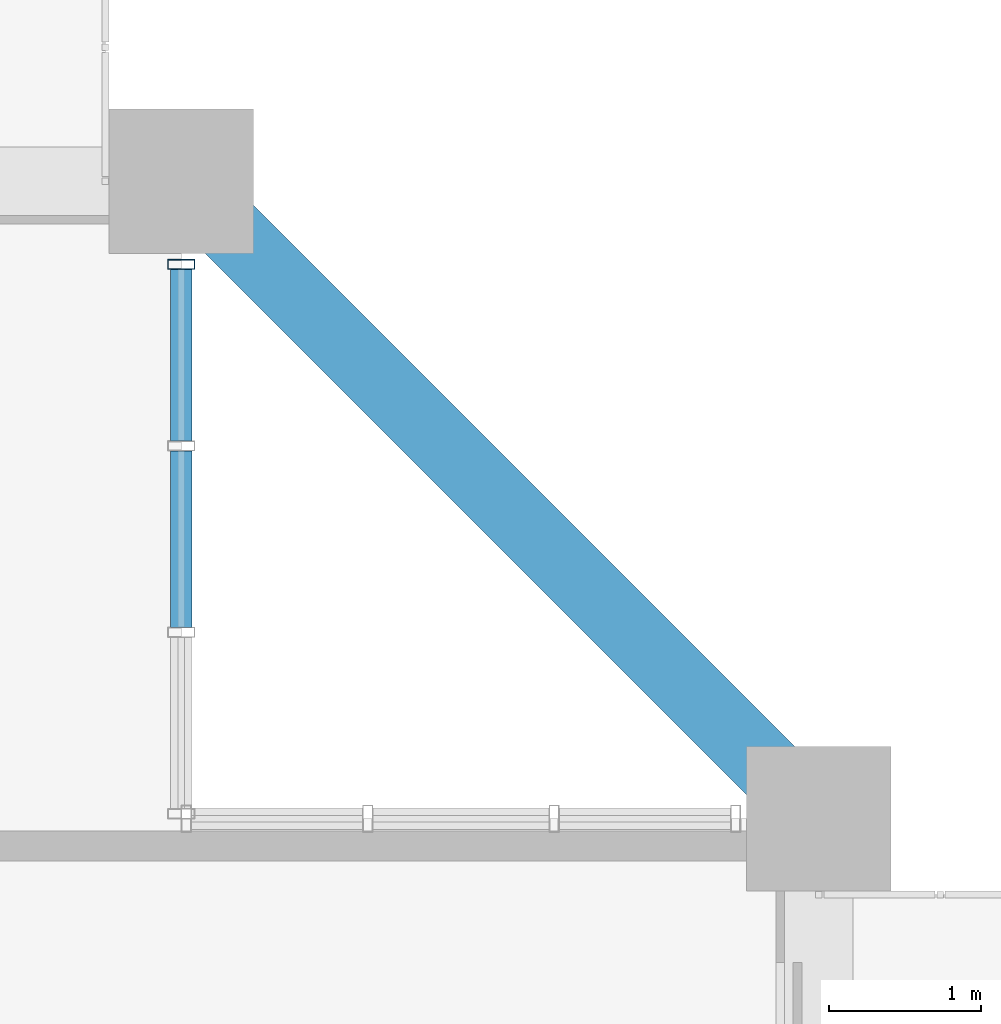
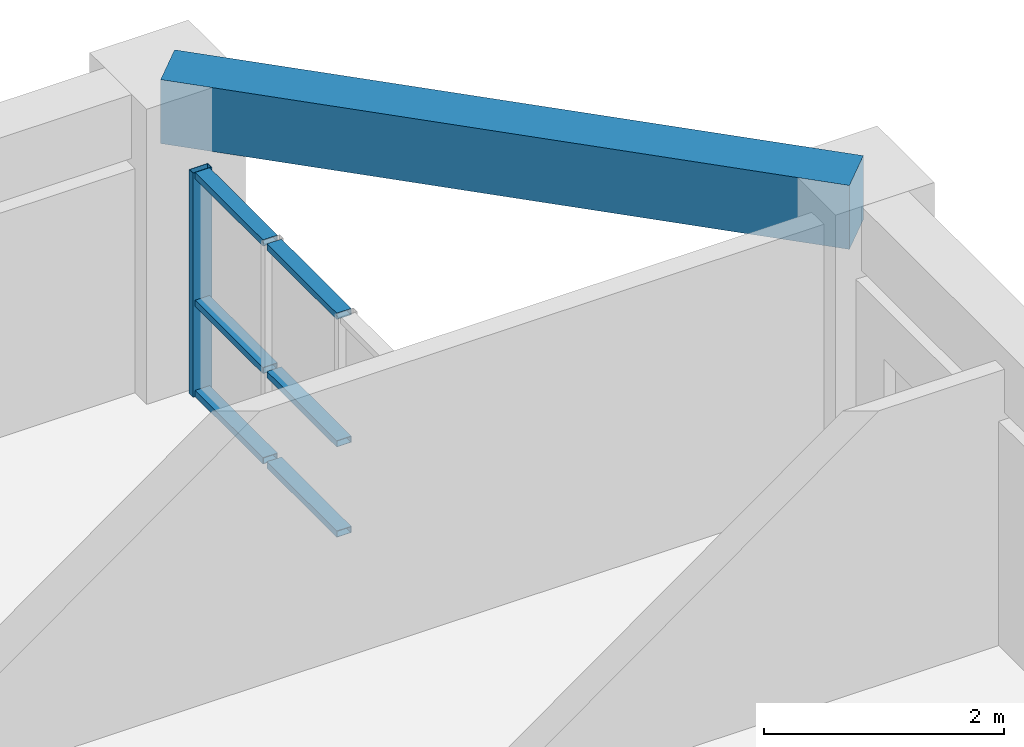
# One storey, part 12 of 24: 7 members, 1 beam, 1 element without a shape of its own.
"""IFC4 building model written with IfcOpenShell, lengths in metres."""

from ifc_helpers import new_model, si_unit, direction, frame, origin, origin_2d, place, context, subcontext, project, spatial, rectangle, hollow_rectangle, extrude, source, transform, mapped, material, layer, layer_set, material_profile, profile_set, type_object, element, aggregate, save


model = new_model("IFC4")

# Units and contexts
model_context = context("Model", 3, precision=1e-05, world=origin(), true_north=direction((0.0, 1.0)))
body_context = subcontext(model_context, "Body", "Model", "MODEL_VIEW")
ifc_project = project(units=[si_unit("LENGTHUNIT", "METRE"), si_unit("AREAUNIT", "SQUARE_METRE"), si_unit("VOLUMEUNIT", "CUBIC_METRE"), si_unit("PLANEANGLEUNIT", "RADIAN"), si_unit("MASSUNIT", "GRAM", prefix="KILO")], contexts=[model_context])

# Site, building, storey
site_placement = place(None, origin())
site = spatial("IfcSite", under=ifc_project, at=site_placement, CompositionType="ELEMENT")
building_placement = place(site_placement, origin())
building = spatial("IfcBuilding", under=site, at=building_placement, Name="Saelheon Loggia Tower", CompositionType="ELEMENT")
storey_placement = place(building_placement, frame((0.0, 0.0, 98.85009765625)))
storey = spatial("IfcBuildingStorey", under=building, at=storey_placement, Name="L31", CompositionType="ELEMENT", Elevation=98.85009765625)

# Beam
ifc_material_1 = material(Name="Concrete C40/50", Category="concrete")
ifc_material_profile_1 = material_profile(ifc_material_1, rectangle(XDim=0.449951171875, YDim=0.64990234375, at=origin_2d()), Name="RC-450x650")
ifc_profile_set_1 = profile_set([ifc_material_profile_1], Name="Concrete C40/50")
beam_type = type_object("IfcBeamType", Name="Beam_PerimTower_RC450x650", PredefinedType="BEAM", material=ifc_profile_set_1)
shared_shape_1 = source(origin(), body_context, "Body", "SweptSolid", [
    extrude(rectangle(XDim=0.449951171875, YDim=0.64990234375, at=origin_2d()), origin(), (0.0, 0.0, 1.0), 5.939697265625),
])
beam_placement = place(storey_placement, frame((64.0, 46.800048828125, 2.6748046875), z_axis=(-0.707106781187, 0.707106781187, 0.0), x_axis=(-0.707106781187, -0.707106781187, 0.0)))
element("IfcBeam", 1, at=beam_placement, inside=storey, type_object=beam_type, Name="L31 Perimeter Frame Girder 08", PredefinedType="BEAM", context=body_context, shape_type="MappedRepresentation", body=[
    mapped(shared_shape_1, transform((0.0, 0.0, 0.0), scale=1.0)),
])

# Curtain wall, members
ifc_material_2 = material(Name="Thermal-Break Aluminium and Triple Low-E Glass", Category="aluminium")
ifc_layer = layer(ifc_material_2, 0.159912109375)
ifc_layer_set = layer_set([ifc_layer], Name="Thermal-Break Aluminium and Triple Low-E Glass")
curtain_wall_type = type_object("IfcCurtainWallType", Name="CW_TowerLoggiaLow", PredefinedType="NOTDEFINED", material=ifc_layer_set)
curtain_wall_placement = place(storey_placement, origin())
curtain_wall = element("IfcCurtainWall", 2, at=curtain_wall_placement, inside=storey, type_object=curtain_wall_type, Name="L31 Corner Notch Glazing NE1", PredefinedType="NOTDEFINED")
ifc_material_3 = material(Name="Anodised Aluminium 6063-T6", Category="aluminium")
ifc_material_profile_2 = material_profile(ifc_material_3, hollow_rectangle(XDim=0.06494140625, YDim=0.179931640625, WallThickness=0.00390625, at=origin_2d()), Name="RHS-180x65x4")
ifc_profile_set_2 = profile_set([ifc_material_profile_2], Name="Anodised Aluminium 6063-T6")
member_type_1 = type_object("IfcMemberType", Name="CW_TowerLoggiaLow_Mullion", PredefinedType="MULLION", material=ifc_profile_set_2)
shared_shape_2 = source(origin(), body_context, "Body", "SweptSolid", [
    extrude(hollow_rectangle(XDim=0.06494140625, YDim=0.179931640625, WallThickness=0.00390625, at=origin_2d()), origin(), (0.0, 0.0, 1.0), 2.27978515625),
])
member_1_placement = place(storey_placement, frame((59.800048828125, 50.452392578125, 0.0), z_axis=(0.0, 0.0, 1.0), x_axis=(0.0, 1.0, 0.0)))
member_1 = element("IfcMember", 3, at=member_1_placement, type_object=member_type_1, Name="CW3 mullion 4", PredefinedType="MULLION", context=body_context, shape_type="MappedRepresentation", body=[
    mapped(shared_shape_2, transform((0.0, 0.0, 0.0), scale=1.0)),
])
ifc_material_profile_3 = material_profile(ifc_material_3, hollow_rectangle(XDim=0.06494140625, YDim=0.139892578125, WallThickness=0.00390625, at=origin_2d()), Name="RHS-140x65x4")
ifc_profile_set_3 = profile_set([ifc_material_profile_3], Name="Anodised Aluminium 6063-T6")
member_type_2 = type_object("IfcMemberType", Name="CW_TowerLoggiaLow_Transom", PredefinedType="USERDEFINED", material=ifc_profile_set_3)
shared_shape_3 = source(origin(), body_context, "Body", "SweptSolid", [
    extrude(hollow_rectangle(XDim=0.06494140625, YDim=0.139892578125, WallThickness=0.00390625, at=origin_2d()), origin(), (0.0, 0.0, 1.0), 1.130859375),
])
member_2_placement = place(storey_placement, frame((59.800048828125, 49.2890625, 0.032470703125), z_axis=(0.0, 1.0, 0.0), x_axis=(0.0, 0.0, 1.0)))
member_2 = element("IfcMember", 4, at=member_2_placement, type_object=member_type_2, Name="CW3 transom 3.1", ObjectType="TRANSOM", PredefinedType="USERDEFINED", context=body_context, shape_type="MappedRepresentation", body=[
    mapped(shared_shape_3, transform((0.0, 0.0, 0.0), scale=1.0)),
])
member_3_placement = place(storey_placement, frame((59.800048828125, 49.2890625, 0.949951171875), z_axis=(0.0, 1.0, 0.0), x_axis=(0.0, 0.0, 1.0)))
member_3 = element("IfcMember", 5, at=member_3_placement, type_object=member_type_2, Name="CW3 transom 3.2", ObjectType="TRANSOM", PredefinedType="USERDEFINED", context=body_context, shape_type="MappedRepresentation", body=[
    mapped(shared_shape_3, transform((0.0, 0.0, 0.0), scale=1.0)),
])
member_4_placement = place(storey_placement, frame((59.800048828125, 49.2890625, 2.247314453125), z_axis=(0.0, 1.0, 0.0), x_axis=(0.0, 0.0, 1.0)))
member_4 = element("IfcMember", 6, at=member_4_placement, type_object=member_type_2, Name="CW3 transom 3.3", ObjectType="TRANSOM", PredefinedType="USERDEFINED", context=body_context, shape_type="MappedRepresentation", body=[
    mapped(shared_shape_3, transform((0.0, 0.0, 0.0), scale=1.0)),
])
shared_shape_4 = source(origin(), body_context, "Body", "SweptSolid", [
    extrude(hollow_rectangle(XDim=0.06494140625, YDim=0.139892578125, WallThickness=0.00390625, at=origin_2d()), origin(), (0.0, 0.0, 1.0), 1.163330078125),
])
member_5_placement = place(storey_placement, frame((59.800048828125, 48.060791015625, 0.032470703125), z_axis=(0.0, 1.0, 0.0), x_axis=(0.0, 0.0, 1.0)))
member_5 = element("IfcMember", 7, at=member_5_placement, type_object=member_type_2, Name="CW3 transom 2.1", ObjectType="TRANSOM", PredefinedType="USERDEFINED", context=body_context, shape_type="MappedRepresentation", body=[
    mapped(shared_shape_4, transform((0.0, 0.0, 0.0), scale=1.0)),
])
member_6_placement = place(storey_placement, frame((59.800048828125, 48.060791015625, 0.949951171875), z_axis=(0.0, 1.0, 0.0), x_axis=(0.0, 0.0, 1.0)))
member_6 = element("IfcMember", 8, at=member_6_placement, type_object=member_type_2, Name="CW3 transom 2.2", ObjectType="TRANSOM", PredefinedType="USERDEFINED", context=body_context, shape_type="MappedRepresentation", body=[
    mapped(shared_shape_4, transform((0.0, 0.0, 0.0), scale=1.0)),
])
member_7_placement = place(storey_placement, frame((59.800048828125, 48.060791015625, 2.247314453125), z_axis=(0.0, 1.0, 0.0), x_axis=(0.0, 0.0, 1.0)))
member_7 = element("IfcMember", 9, at=member_7_placement, type_object=member_type_2, Name="CW3 transom 2.3", ObjectType="TRANSOM", PredefinedType="USERDEFINED", context=body_context, shape_type="MappedRepresentation", body=[
    mapped(shared_shape_4, transform((0.0, 0.0, 0.0), scale=1.0)),
])
aggregate(curtain_wall, [member_1, member_5, member_6, member_7, member_2, member_3, member_4])

save(model, "model.ifc")
